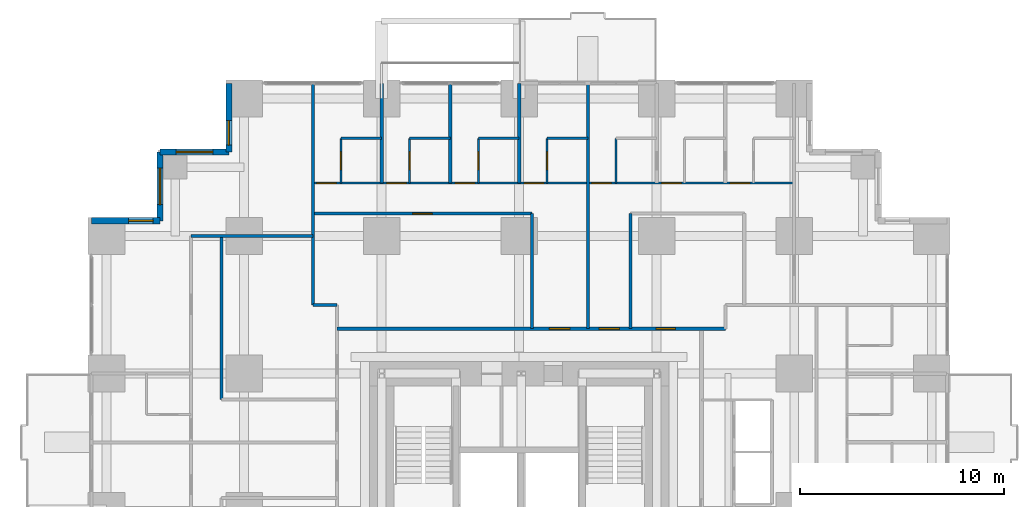
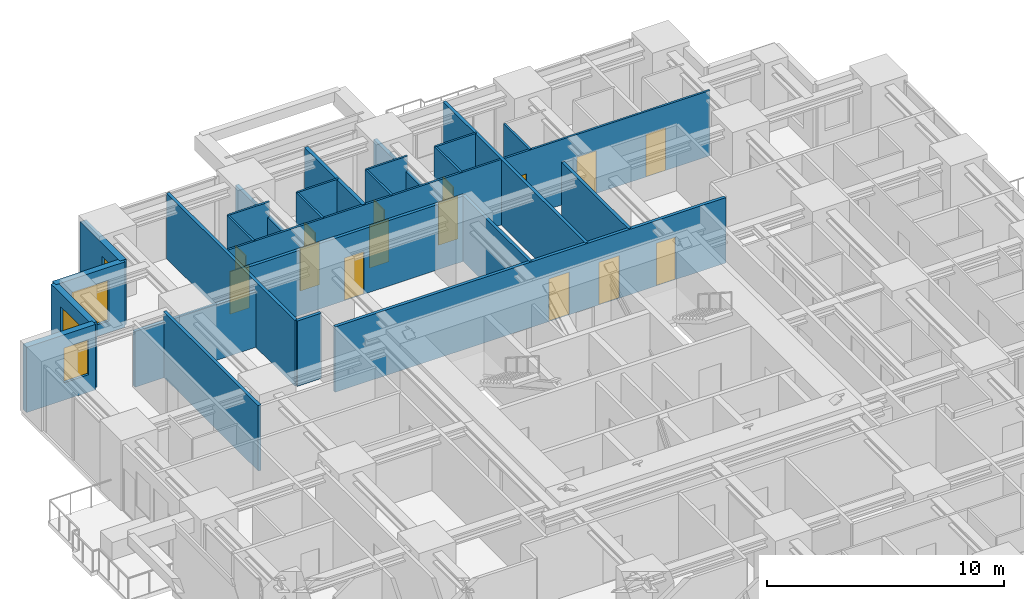
# One storey, part 12 of 14: 26 walls, 15 doors, 4 windows, 19 openings.
"""IFC4 building model written with IfcOpenShell, lengths in metres."""

from ifc_helpers import new_model, si_unit, direction, frame, frame_2d, origin, place, context, subcontext, project, spatial, rectangle, extrude, material, layer, layer_set, type_object, element, fill, save


model = new_model("IFC4")

# Units and contexts
model_context = context("Model", 3, precision=1e-05, world=origin(), true_north=direction((0.0, 1.0)))
body_context = subcontext(model_context, "Body", "Model", "MODEL_VIEW")
ifc_project = project(units=[si_unit("LENGTHUNIT", "METRE"), si_unit("AREAUNIT", "SQUARE_METRE"), si_unit("VOLUMEUNIT", "CUBIC_METRE"), si_unit("PLANEANGLEUNIT", "RADIAN"), si_unit("MASSUNIT", "GRAM", prefix="KILO")], contexts=[model_context])

# Site, building, storey
site_placement = place(None, origin())
site = spatial("IfcSite", under=ifc_project, at=site_placement, CompositionType="ELEMENT")
building_placement = place(site_placement, origin())
building = spatial("IfcBuilding", under=site, at=building_placement, Name="Nyansa Garden Tower", CompositionType="ELEMENT")
storey_placement = place(building_placement, frame((0.0, 0.0, 57.60009765625)))
storey = spatial("IfcBuildingStorey", under=building, at=storey_placement, Name="L15", CompositionType="ELEMENT", Elevation=57.60009765625)

# Walls
ifc_material_1 = material(Name="Dense blockwork, plastered both sides, 55 dB", Category="masonry")
ifc_layer_1 = layer(ifc_material_1, 0.175048828125)
ifc_layer_set_1 = layer_set([ifc_layer_1], Name="Acoustic party wall PW175")
wall_type_1 = type_object("IfcWallType", Name="Acoustic party wall PW175", PredefinedType="PARTITIONING", material=ifc_layer_set_1)
wall_1_placement = place(storey_placement, frame((13.5, 36.35009765625, 0.0), z_axis=(0.0, 0.0, 1.0), x_axis=(0.0, 1.0, 0.0)))
element("IfcWall", 1, at=wall_1_placement, inside=storey, type_object=wall_type_1, Name="Party wall", PredefinedType="PARTITIONING", context=body_context, shape_type="SweptSolid", body=[
    extrude(rectangle(XDim=4.8837890625, YDim=0.175048828125, at=frame_2d((2.44189453125, 0.0))), origin(), (0.0, 0.0, 1.0), 2.60986328125),
])
wall_2_placement = place(storey_placement, frame((16.875, 36.35009765625, 0.0), z_axis=(0.0, 0.0, 1.0), x_axis=(0.0, 1.0, 0.0)))
element("IfcWall", 2, at=wall_2_placement, inside=storey, type_object=wall_type_1, Name="Party wall", PredefinedType="PARTITIONING", context=body_context, shape_type="SweptSolid", body=[
    extrude(rectangle(XDim=4.8837890625, YDim=0.175048828125, at=frame_2d((2.44189453125, 0.0))), origin(), (0.0, 0.0, 1.0), 3.375),
])
wall_3_placement = place(storey_placement, frame((20.25, 36.35009765625, 0.0), z_axis=(0.0, 0.0, 1.0), x_axis=(0.0, 1.0, 0.0)))
element("IfcWall", 3, at=wall_3_placement, inside=storey, type_object=wall_type_1, Name="Party wall", PredefinedType="PARTITIONING", context=body_context, shape_type="SweptSolid", body=[
    extrude(rectangle(XDim=4.8837890625, YDim=0.175048828125, at=frame_2d((2.44189453125, 0.0))), origin(), (0.0, 0.0, 1.0), 2.60986328125),
])
ifc_material_2 = material(Name="Blockwork, plastered both sides", Category="masonry")
ifc_layer_2 = layer(ifc_material_2, 0.14990234375)
ifc_layer_set_2 = layer_set([ifc_layer_2], Name="Partition PW150")
wall_type_2 = type_object("IfcWallType", Name="Partition PW150", PredefinedType="PARTITIONING", material=ifc_layer_set_2)
wall_4_placement = place(storey_placement, frame((4.14990234375, 33.75, 0.0), z_axis=(0.0, 0.0, 1.0), x_axis=(1.0, 0.0, 0.0)))
element("IfcWall", 4, at=wall_4_placement, inside=storey, type_object=wall_type_2, Name="Partition", PredefinedType="PARTITIONING", context=body_context, shape_type="SweptSolid", body=[
    extrude(rectangle(XDim=5.97509765625, YDim=0.14990234375, at=frame_2d((2.987548828125, 0.0))), origin(), (0.0, 0.0, 1.0), 2.876953125),
])
wall_5_placement = place(storey_placement, frame((5.64990234375, 25.72509765625, 0.0), z_axis=(0.0, 0.0, 1.0), x_axis=(0.0, 1.0, 0.0)))
element("IfcWall", 5, at=wall_5_placement, inside=storey, type_object=wall_type_2, Name="Partition", PredefinedType="PARTITIONING", context=body_context, shape_type="SweptSolid", body=[
    extrude(rectangle(XDim=8.02490234375, YDim=0.14990234375, at=frame_2d((4.012451171875, 0.0))), origin(), (0.0, 0.0, 1.0), 3.375),
])
wall_6_placement = place(storey_placement, frame((10.125, 30.375, 0.0), z_axis=(0.0, 0.0, 1.0), x_axis=(0.0, 1.0, 0.0)))
element("IfcWall", 6, at=wall_6_placement, inside=storey, type_object=wall_type_2, Name="Partition", PredefinedType="PARTITIONING", context=body_context, shape_type="SweptSolid", body=[
    extrude(rectangle(XDim=10.85888671875, YDim=0.14990234375, at=frame_2d((5.429443359375, 0.0))), origin(), (0.0, 0.0, 1.0), 3.375),
])
wall_7_placement = place(storey_placement, frame((10.125, 30.375, 0.0), z_axis=(0.0, 0.0, 1.0), x_axis=(1.0, 0.0, 0.0)))
element("IfcWall", 7, at=wall_7_placement, inside=storey, type_object=wall_type_2, Name="Partition", PredefinedType="PARTITIONING", context=body_context, shape_type="SweptSolid", body=[
    extrude(rectangle(XDim=1.175048828125, YDim=0.14990234375, at=frame_2d((0.58740234375, 0.0))), origin(), (0.0, 0.0, 1.0), 3.375),
])

# Wall, opening, door
wall_8_placement = place(storey_placement, frame((10.125, 34.85009765625, 0.0), z_axis=(0.0, 0.0, 1.0), x_axis=(1.0, 0.0, 0.0)))
wall_8 = element("IfcWall", 8, at=wall_8_placement, inside=storey, type_object=wall_type_2, Name="Partition", PredefinedType="PARTITIONING", context=body_context, shape_type="SweptSolid", body=[
    extrude(rectangle(XDim=10.762451171875, YDim=0.14990234375, at=frame_2d((5.38134765625, 0.0))), origin(), (0.0, 0.0, 1.0), 3.375),
])
opening_1_placement = place(wall_8_placement, frame((4.89990234375, 0.0, 0.0)))
opening_1 = element("IfcOpeningElement", 9, at=opening_1_placement, cuts=wall_8, Name="Opening D01", PredefinedType="OPENING", context=body_context, shape_type="SweptSolid", body=[
    extrude(rectangle(XDim=0.949951171875, YDim=2.199951171875, at=frame_2d((0.47509765625, 1.10009765625))), frame((0.0, 0.0849609375, 0.0), z_axis=(0.0, -1.0, 0.0), x_axis=(1.0, 0.0, 0.0)), (0.0, 0.0, 1.0), 0.169921875),
])
ifc_material_3 = material(Name="Timber flush door, 30 minute fire resisting", Category="wood")
door_type_1 = type_object("IfcDoorType", Name="Bedroom door D01 950x2200", OperationType="SINGLE_SWING_LEFT", PredefinedType="DOOR", material=ifc_material_3)
door_1_placement = place(opening_1_placement, origin())
door_1 = element("IfcDoor", 10, at=door_1_placement, inside=storey, type_object=door_type_1, Name="Door L15-067", OperationType="SINGLE_SWING_LEFT", OverallHeight=2.199951171875, OverallWidth=0.949951171875, PredefinedType="DOOR", context=body_context, shape_type="SweptSolid", body=[
    extrude(rectangle(XDim=0.949951171875, YDim=2.199951171875, at=frame_2d((0.47509765625, 1.10009765625))), frame((0.0, 0.02490234375, 0.0), z_axis=(0.0, -1.0, 0.0), x_axis=(1.0, 0.0, 0.0)), (0.0, 0.0, 1.0), 0.050048828125),
])
fill(opening_1, door_1)

# Wall, openings, doors
wall_9_placement = place(storey_placement, frame((11.300048828125, 29.199951171875, 0.0), z_axis=(0.0, 0.0, 1.0), x_axis=(1.0, 0.0, 0.0)))
wall_9 = element("IfcWall", 11, at=wall_9_placement, inside=storey, type_object=wall_type_2, Name="Partition", PredefinedType="PARTITIONING", context=body_context, shape_type="SweptSolid", body=[
    extrude(rectangle(XDim=19.074951171875, YDim=0.14990234375, at=frame_2d((9.53759765625, 0.0))), origin(), (0.0, 0.0, 1.0), 3.375),
])
opening_2_placement = place(wall_9_placement, frame((12.875, 0.0, 0.0)))
opening_2 = element("IfcOpeningElement", 12, at=opening_2_placement, cuts=wall_9, Name="Opening D03", PredefinedType="OPENING", context=body_context, shape_type="SweptSolid", body=[
    extrude(rectangle(XDim=1.0, YDim=2.199951171875, at=frame_2d((0.5, 1.10009765625))), frame((0.0, 0.0849609375, 0.0), z_axis=(0.0, -1.0, 0.0), x_axis=(1.0, 0.0, 0.0)), (0.0, 0.0, 1.0), 0.169921875),
])
opening_3_placement = place(wall_9_placement, frame((10.4375, 0.0, 0.0)))
opening_3 = element("IfcOpeningElement", 13, at=opening_3_placement, cuts=wall_9, Name="Opening D03", PredefinedType="OPENING", context=body_context, shape_type="SweptSolid", body=[
    extrude(rectangle(XDim=1.0, YDim=2.199951171875, at=frame_2d((0.5, 1.10009765625))), frame((0.0, 0.0849609375, 0.0), z_axis=(0.0, -1.0, 0.0), x_axis=(1.0, 0.0, 0.0)), (0.0, 0.0, 1.0), 0.169921875),
])
opening_4_placement = place(wall_9_placement, frame((15.675048828125, 0.0, 0.0)))
opening_4 = element("IfcOpeningElement", 14, at=opening_4_placement, cuts=wall_9, Name="Opening D01", PredefinedType="OPENING", context=body_context, shape_type="SweptSolid", body=[
    extrude(rectangle(XDim=0.949951171875, YDim=2.199951171875, at=frame_2d((0.47509765625, 1.10009765625))), frame((0.0, 0.0849609375, 0.0), z_axis=(0.0, -1.0, 0.0), x_axis=(1.0, 0.0, 0.0)), (0.0, 0.0, 1.0), 0.169921875),
])
door_2_placement = place(opening_4_placement, origin())
door_2 = element("IfcDoor", 15, at=door_2_placement, inside=storey, type_object=door_type_1, Name="Door L15-066", OperationType="SINGLE_SWING_LEFT", OverallHeight=2.199951171875, OverallWidth=0.949951171875, PredefinedType="DOOR", context=body_context, shape_type="SweptSolid", body=[
    extrude(rectangle(XDim=0.949951171875, YDim=2.199951171875, at=frame_2d((0.47509765625, 1.10009765625))), frame((0.0, 0.02490234375, 0.0), z_axis=(0.0, -1.0, 0.0), x_axis=(1.0, 0.0, 0.0)), (0.0, 0.0, 1.0), 0.050048828125),
])
fill(opening_4, door_2)
ifc_material_4 = material(Name="Timber flush door, 60 minute fire resisting", Category="wood")
door_type_2 = type_object("IfcDoorType", Name="Cluster entrance door D03 1000x2200", OperationType="SINGLE_SWING_LEFT", PredefinedType="DOOR", material=ifc_material_4)
door_3_placement = place(opening_2_placement, origin())
door_3 = element("IfcDoor", 16, at=door_3_placement, inside=storey, type_object=door_type_2, Name="Door L15-056", OperationType="SINGLE_SWING_LEFT", OverallHeight=2.199951171875, OverallWidth=1.0, PredefinedType="DOOR", context=body_context, shape_type="SweptSolid", body=[
    extrude(rectangle(XDim=1.0, YDim=2.199951171875, at=frame_2d((0.5, 1.10009765625))), frame((0.0, 0.02490234375, 0.0), z_axis=(0.0, -1.0, 0.0), x_axis=(1.0, 0.0, 0.0)), (0.0, 0.0, 1.0), 0.050048828125),
])
fill(opening_2, door_3)
door_4_placement = place(opening_3_placement, origin())
door_4 = element("IfcDoor", 17, at=door_4_placement, inside=storey, type_object=door_type_2, Name="Door L15-065", OperationType="SINGLE_SWING_LEFT", OverallHeight=2.199951171875, OverallWidth=1.0, PredefinedType="DOOR", context=body_context, shape_type="SweptSolid", body=[
    extrude(rectangle(XDim=1.0, YDim=2.199951171875, at=frame_2d((0.5, 1.10009765625))), frame((0.0, 0.02490234375, 0.0), z_axis=(0.0, -1.0, 0.0), x_axis=(1.0, 0.0, 0.0)), (0.0, 0.0, 1.0), 0.050048828125),
])
fill(opening_3, door_4)

# Walls
wall_10_placement = place(storey_placement, frame((20.886962890625, 29.199951171875, 0.0), z_axis=(0.0, 0.0, 1.0), x_axis=(0.0, 1.0, 0.0)))
element("IfcWall", 18, at=wall_10_placement, inside=storey, type_object=wall_type_2, Name="Partition", PredefinedType="PARTITIONING", context=body_context, shape_type="SweptSolid", body=[
    extrude(rectangle(XDim=5.650146484375, YDim=0.14990234375, at=frame_2d((2.8251953125, 0.0))), origin(), (0.0, 0.0, 1.0), 3.375),
])
wall_11_placement = place(storey_placement, frame((23.625, 29.199951171875, 0.0), z_axis=(0.0, 0.0, 1.0), x_axis=(0.0, 1.0, 0.0)))
element("IfcWall", 19, at=wall_11_placement, inside=storey, type_object=wall_type_2, Name="Partition", PredefinedType="PARTITIONING", context=body_context, shape_type="SweptSolid", body=[
    extrude(rectangle(XDim=12.033935546875, YDim=0.14990234375, at=frame_2d((6.01708984375, 0.0))), origin(), (0.0, 0.0, 1.0), 3.375),
])
wall_12_placement = place(storey_placement, frame((25.72509765625, 29.199951171875, 0.0), z_axis=(0.0, 0.0, 1.0), x_axis=(0.0, 1.0, 0.0)))
element("IfcWall", 20, at=wall_12_placement, inside=storey, type_object=wall_type_2, Name="Partition", PredefinedType="PARTITIONING", context=body_context, shape_type="SweptSolid", body=[
    extrude(rectangle(XDim=5.650146484375, YDim=0.14990234375, at=frame_2d((2.8251953125, 0.0))), origin(), (0.0, 0.0, 1.0), 3.375),
])

# Wall, opening, window
ifc_material_5 = material(Name="Turquoise glazed tile on concrete blockwork", Category="masonry")
ifc_layer_3 = layer(ifc_material_5, 0.300048828125)
ifc_layer_set_3 = layer_set([ifc_layer_3], Name="Tiled corner wall TW300")
wall_type_3 = type_object("IfcWallType", Name="Tiled corner wall TW300", PredefinedType="SOLIDWALL", material=ifc_layer_set_3)
wall_13_placement = place(storey_placement, frame((6.0, 41.25, 0.0), z_axis=(0.0, 0.0, 1.0), x_axis=(0.0, -1.0, 0.0)))
wall_13 = element("IfcWall", 21, at=wall_13_placement, inside=storey, type_object=wall_type_3, Name="Tiled corner wall L15", PredefinedType="SOLIDWALL", context=body_context, shape_type="SweptSolid", body=[
    extrude(rectangle(XDim=3.375, YDim=0.300048828125, at=frame_2d((1.6875, 0.0))), origin(), (0.0, 0.0, 1.0), 3.375),
])
opening_5_placement = place(wall_13_placement, frame((1.83251953125, 0.0, 0.89990234375)))
opening_5 = element("IfcOpeningElement", 22, at=opening_5_placement, cuts=wall_13, Name="Opening W4", PredefinedType="OPENING", context=body_context, shape_type="SweptSolid", body=[
    extrude(rectangle(XDim=1.199951171875, YDim=1.800048828125, at=frame_2d((0.60009765625, 0.89990234375))), frame((0.0, 0.159912109375, 0.0), z_axis=(0.0, -1.0, 0.0), x_axis=(1.0, 0.0, 0.0)), (0.0, 0.0, 1.0), 0.320068359375),
])
ifc_material_6 = material(Name="Black aluminium frame, dark tinted double glazing", Category="aluminium")
window_type_1 = type_object("IfcWindowType", Name="Window W4 1200x1800", PartitioningType="SINGLE_PANEL", PredefinedType="WINDOW", material=ifc_material_6)
window_1_placement = place(opening_5_placement, origin())
window_1 = element("IfcWindow", 23, at=window_1_placement, inside=storey, type_object=window_type_1, Name="Corner window L15", OverallHeight=1.800048828125, OverallWidth=1.199951171875, PartitioningType="SINGLE_PANEL", PredefinedType="WINDOW", context=body_context, shape_type="SweptSolid", body=[
    extrude(rectangle(XDim=1.199951171875, YDim=1.800048828125, at=frame_2d((0.60009765625, 0.89990234375))), frame((0.0, 0.030029296875, 0.0), z_axis=(0.0, -1.0, 0.0), x_axis=(1.0, 0.0, 0.0)), (0.0, 0.0, 1.0), 0.06005859375),
])
fill(opening_5, window_1)

wall_14_placement = place(storey_placement, frame((6.0, 37.875, 0.0), z_axis=(0.0, 0.0, 1.0), x_axis=(-1.0, 0.0, 0.0)))
wall_14 = element("IfcWall", 24, at=wall_14_placement, inside=storey, type_object=wall_type_3, Name="Tiled corner wall L15", PredefinedType="SOLIDWALL", context=body_context, shape_type="SweptSolid", body=[
    extrude(rectangle(XDim=3.375, YDim=0.300048828125, at=frame_2d((1.6875, 0.0))), origin(), (0.0, 0.0, 1.0), 3.375),
])
opening_6_placement = place(wall_14_placement, frame((0.78759765625, 0.0, 0.60009765625)))
opening_6 = element("IfcOpeningElement", 25, at=opening_6_placement, cuts=wall_14, Name="Opening W2", PredefinedType="OPENING", context=body_context, shape_type="SweptSolid", body=[
    extrude(rectangle(XDim=1.800048828125, YDim=2.10009765625, at=frame_2d((0.89990234375, 1.050048828125))), frame((0.0, 0.159912109375, 0.0), z_axis=(0.0, -1.0, 0.0), x_axis=(1.0, 0.0, 0.0)), (0.0, 0.0, 1.0), 0.320068359375),
])
ifc_material_7 = material(Name="Black aluminium frame, dark tinted double glazing", Category="aluminium")
window_type_2 = type_object("IfcWindowType", Name="Window W2 1800x2100", PartitioningType="SINGLE_PANEL", PredefinedType="WINDOW", material=ifc_material_7)
window_2_placement = place(opening_6_placement, origin())
window_2 = element("IfcWindow", 26, at=window_2_placement, inside=storey, type_object=window_type_2, Name="Corner window L15", OverallHeight=2.10009765625, OverallWidth=1.800048828125, PartitioningType="SINGLE_PANEL", PredefinedType="WINDOW", context=body_context, shape_type="SweptSolid", body=[
    extrude(rectangle(XDim=1.800048828125, YDim=2.10009765625, at=frame_2d((0.89990234375, 1.050048828125))), frame((0.0, 0.030029296875, 0.0), z_axis=(0.0, -1.0, 0.0), x_axis=(1.0, 0.0, 0.0)), (0.0, 0.0, 1.0), 0.06005859375),
])
fill(opening_6, window_2)

wall_15_placement = place(storey_placement, frame((2.625, 37.875, 0.0), z_axis=(0.0, 0.0, 1.0), x_axis=(0.0, -1.0, 0.0)))
wall_15 = element("IfcWall", 27, at=wall_15_placement, inside=storey, type_object=wall_type_3, Name="Tiled corner wall L15", PredefinedType="SOLIDWALL", context=body_context, shape_type="SweptSolid", body=[
    extrude(rectangle(XDim=3.375, YDim=0.300048828125, at=frame_2d((1.6875, 0.0))), origin(), (0.0, 0.0, 1.0), 3.375),
])
opening_7_placement = place(wall_15_placement, frame((0.78759765625, 0.0, 0.60009765625)))
opening_7 = element("IfcOpeningElement", 28, at=opening_7_placement, cuts=wall_15, Name="Opening W2", PredefinedType="OPENING", context=body_context, shape_type="SweptSolid", body=[
    extrude(rectangle(XDim=1.800048828125, YDim=2.10009765625, at=frame_2d((0.89990234375, 1.050048828125))), frame((0.0, 0.159912109375, 0.0), z_axis=(0.0, -1.0, 0.0), x_axis=(1.0, 0.0, 0.0)), (0.0, 0.0, 1.0), 0.320068359375),
])
window_3_placement = place(opening_7_placement, origin())
window_3 = element("IfcWindow", 29, at=window_3_placement, inside=storey, type_object=window_type_2, Name="Corner window L15", OverallHeight=2.10009765625, OverallWidth=1.800048828125, PartitioningType="SINGLE_PANEL", PredefinedType="WINDOW", context=body_context, shape_type="SweptSolid", body=[
    extrude(rectangle(XDim=1.800048828125, YDim=2.10009765625, at=frame_2d((0.89990234375, 1.050048828125))), frame((0.0, 0.030029296875, 0.0), z_axis=(0.0, -1.0, 0.0), x_axis=(1.0, 0.0, 0.0)), (0.0, 0.0, 1.0), 0.06005859375),
])
fill(opening_7, window_3)

wall_16_placement = place(storey_placement, frame((2.625, 34.5, 0.0), z_axis=(0.0, 0.0, 1.0), x_axis=(-1.0, 0.0, 0.0)))
wall_16 = element("IfcWall", 30, at=wall_16_placement, inside=storey, type_object=wall_type_3, Name="Tiled corner wall L15", PredefinedType="SOLIDWALL", context=body_context, shape_type="SweptSolid", body=[
    extrude(rectangle(XDim=3.375, YDim=0.300048828125, at=frame_2d((1.6875, 0.0))), origin(), (0.0, 0.0, 1.0), 3.375),
])
opening_8_placement = place(wall_16_placement, frame((0.342529296875, 0.0, 0.89990234375)))
opening_8 = element("IfcOpeningElement", 31, at=opening_8_placement, cuts=wall_16, Name="Opening W4", PredefinedType="OPENING", context=body_context, shape_type="SweptSolid", body=[
    extrude(rectangle(XDim=1.199951171875, YDim=1.800048828125, at=frame_2d((0.60009765625, 0.89990234375))), frame((0.0, 0.159912109375, 0.0), z_axis=(0.0, -1.0, 0.0), x_axis=(1.0, 0.0, 0.0)), (0.0, 0.0, 1.0), 0.320068359375),
])
window_4_placement = place(opening_8_placement, origin())
window_4 = element("IfcWindow", 32, at=window_4_placement, inside=storey, type_object=window_type_1, Name="Corner window L15", OverallHeight=1.800048828125, OverallWidth=1.199951171875, PartitioningType="SINGLE_PANEL", PredefinedType="WINDOW", context=body_context, shape_type="SweptSolid", body=[
    extrude(rectangle(XDim=1.199951171875, YDim=1.800048828125, at=frame_2d((0.60009765625, 0.89990234375))), frame((0.0, 0.030029296875, 0.0), z_axis=(0.0, -1.0, 0.0), x_axis=(1.0, 0.0, 0.0)), (0.0, 0.0, 1.0), 0.06005859375),
])
fill(opening_8, window_4)

# Wall, openings, doors
ifc_material_8 = material(Name="Moisture resistant board on steel studs, tiled", Category="steel")
ifc_layer_4 = layer(ifc_material_8, 0.10009765625)
ifc_layer_set_4 = layer_set([ifc_layer_4], Name="Wet wall PW100")
wall_type_4 = type_object("IfcWallType", Name="Wet wall PW100", PredefinedType="PARTITIONING", material=ifc_layer_set_4)
wall_17_placement = place(storey_placement, frame((10.125, 36.35009765625, 0.0), z_axis=(0.0, 0.0, 1.0), x_axis=(1.0, 0.0, 0.0)))
wall_17 = element("IfcWall", 33, at=wall_17_placement, inside=storey, type_object=wall_type_4, Name="Wet wall", PredefinedType="PARTITIONING", context=body_context, shape_type="SweptSolid", body=[
    extrude(rectangle(XDim=23.625, YDim=0.10009765625, at=frame_2d((11.8125, 0.0))), origin(), (0.0, 0.0, 1.0), 3.375),
])
opening_9_placement = place(wall_17_placement, frame((20.5, 0.0, 0.0)))
opening_9 = element("IfcOpeningElement", 34, at=opening_9_placement, cuts=wall_17, Name="Opening D01", PredefinedType="OPENING", context=body_context, shape_type="SweptSolid", body=[
    extrude(rectangle(XDim=0.949951171875, YDim=2.199951171875, at=frame_2d((0.47509765625, 1.10009765625))), frame((0.0, 0.06005859375, 0.0), z_axis=(0.0, -1.0, 0.0), x_axis=(1.0, 0.0, 0.0)), (0.0, 0.0, 1.0), 0.1201171875),
])
opening_10_placement = place(wall_17_placement, frame((17.125, 0.0, 0.0)))
opening_10 = element("IfcOpeningElement", 35, at=opening_10_placement, cuts=wall_17, Name="Opening D01", PredefinedType="OPENING", context=body_context, shape_type="SweptSolid", body=[
    extrude(rectangle(XDim=0.949951171875, YDim=2.199951171875, at=frame_2d((0.47509765625, 1.10009765625))), frame((0.0, 0.06005859375, 0.0), z_axis=(0.0, -1.0, 0.0), x_axis=(1.0, 0.0, 0.0)), (0.0, 0.0, 1.0), 0.1201171875),
])
opening_11_placement = place(wall_17_placement, frame((13.699951171875, 0.0, 0.0)))
opening_11 = element("IfcOpeningElement", 36, at=opening_11_placement, cuts=wall_17, Name="Opening D01", PredefinedType="OPENING", context=body_context, shape_type="SweptSolid", body=[
    extrude(rectangle(XDim=0.949951171875, YDim=2.199951171875, at=frame_2d((0.47509765625, 1.10009765625))), frame((0.0, 0.06005859375, 0.0), z_axis=(0.0, -1.0, 0.0), x_axis=(1.0, 0.0, 0.0)), (0.0, 0.0, 1.0), 0.1201171875),
])
opening_12_placement = place(wall_17_placement, frame((0.199951171875, 0.0, 0.0)))
opening_12 = element("IfcOpeningElement", 37, at=opening_12_placement, cuts=wall_17, Name="Opening D14", PredefinedType="OPENING", context=body_context, shape_type="SweptSolid", body=[
    extrude(rectangle(XDim=0.949951171875, YDim=2.199951171875, at=frame_2d((0.47509765625, 1.10009765625))), frame((0.0, 0.06005859375, 0.0), z_axis=(0.0, -1.0, 0.0), x_axis=(1.0, 0.0, 0.0)), (0.0, 0.0, 1.0), 0.1201171875),
])
opening_13_placement = place(wall_17_placement, frame((3.625, 0.0, 0.0)))
opening_13 = element("IfcOpeningElement", 38, at=opening_13_placement, cuts=wall_17, Name="Opening D14", PredefinedType="OPENING", context=body_context, shape_type="SweptSolid", body=[
    extrude(rectangle(XDim=0.949951171875, YDim=2.199951171875, at=frame_2d((0.47509765625, 1.10009765625))), frame((0.0, 0.06005859375, 0.0), z_axis=(0.0, -1.0, 0.0), x_axis=(1.0, 0.0, 0.0)), (0.0, 0.0, 1.0), 0.1201171875),
])
opening_14_placement = place(wall_17_placement, frame((7.0, 0.0, 0.0)))
opening_14 = element("IfcOpeningElement", 39, at=opening_14_placement, cuts=wall_17, Name="Opening D14", PredefinedType="OPENING", context=body_context, shape_type="SweptSolid", body=[
    extrude(rectangle(XDim=0.949951171875, YDim=2.199951171875, at=frame_2d((0.47509765625, 1.10009765625))), frame((0.0, 0.06005859375, 0.0), z_axis=(0.0, -1.0, 0.0), x_axis=(1.0, 0.0, 0.0)), (0.0, 0.0, 1.0), 0.1201171875),
])
opening_15_placement = place(wall_17_placement, frame((10.375, 0.0, 0.0)))
opening_15 = element("IfcOpeningElement", 40, at=opening_15_placement, cuts=wall_17, Name="Opening D14", PredefinedType="OPENING", context=body_context, shape_type="SweptSolid", body=[
    extrude(rectangle(XDim=0.949951171875, YDim=2.199951171875, at=frame_2d((0.47509765625, 1.10009765625))), frame((0.0, 0.06005859375, 0.0), z_axis=(0.0, -1.0, 0.0), x_axis=(1.0, 0.0, 0.0)), (0.0, 0.0, 1.0), 0.1201171875),
])
door_5_placement = place(opening_9_placement, origin())
door_5 = element("IfcDoor", 41, at=door_5_placement, inside=storey, type_object=door_type_1, Name="Door L15-050", OperationType="SINGLE_SWING_LEFT", OverallHeight=2.199951171875, OverallWidth=0.949951171875, PredefinedType="DOOR", context=body_context, shape_type="SweptSolid", body=[
    extrude(rectangle(XDim=0.949951171875, YDim=2.199951171875, at=frame_2d((0.47509765625, 1.10009765625))), frame((0.0, 0.02490234375, 0.0), z_axis=(0.0, -1.0, 0.0), x_axis=(1.0, 0.0, 0.0)), (0.0, 0.0, 1.0), 0.050048828125),
])
fill(opening_9, door_5)
door_6_placement = place(opening_10_placement, origin())
door_6 = element("IfcDoor", 42, at=door_6_placement, inside=storey, type_object=door_type_1, Name="Door L15-052", OperationType="SINGLE_SWING_LEFT", OverallHeight=2.199951171875, OverallWidth=0.949951171875, PredefinedType="DOOR", context=body_context, shape_type="SweptSolid", body=[
    extrude(rectangle(XDim=0.949951171875, YDim=2.199951171875, at=frame_2d((0.47509765625, 1.10009765625))), frame((0.0, 0.02490234375, 0.0), z_axis=(0.0, -1.0, 0.0), x_axis=(1.0, 0.0, 0.0)), (0.0, 0.0, 1.0), 0.050048828125),
])
fill(opening_10, door_6)
door_7_placement = place(opening_11_placement, origin())
door_7 = element("IfcDoor", 43, at=door_7_placement, inside=storey, type_object=door_type_1, Name="Door L15-054", OperationType="SINGLE_SWING_LEFT", OverallHeight=2.199951171875, OverallWidth=0.949951171875, PredefinedType="DOOR", context=body_context, shape_type="SweptSolid", body=[
    extrude(rectangle(XDim=0.949951171875, YDim=2.199951171875, at=frame_2d((0.47509765625, 1.10009765625))), frame((0.0, 0.02490234375, 0.0), z_axis=(0.0, -1.0, 0.0), x_axis=(1.0, 0.0, 0.0)), (0.0, 0.0, 1.0), 0.050048828125),
])
fill(opening_11, door_7)
ifc_material_9 = material(Name="Timber flush door, 60 minute fire resisting, self-closing", Category="wood")
door_type_3 = type_object("IfcDoorType", Name="Studio entrance door D14 950x2200", OperationType="SINGLE_SWING_LEFT", PredefinedType="DOOR", material=ifc_material_9)
door_8_placement = place(opening_12_placement, origin())
door_8 = element("IfcDoor", 44, at=door_8_placement, inside=storey, type_object=door_type_3, Name="Door L15-057", OperationType="SINGLE_SWING_LEFT", OverallHeight=2.199951171875, OverallWidth=0.949951171875, PredefinedType="DOOR", context=body_context, shape_type="SweptSolid", body=[
    extrude(rectangle(XDim=0.949951171875, YDim=2.199951171875, at=frame_2d((0.47509765625, 1.10009765625))), frame((0.0, 0.02490234375, 0.0), z_axis=(0.0, -1.0, 0.0), x_axis=(1.0, 0.0, 0.0)), (0.0, 0.0, 1.0), 0.050048828125),
])
fill(opening_12, door_8)
door_9_placement = place(opening_13_placement, origin())
door_9 = element("IfcDoor", 45, at=door_9_placement, inside=storey, type_object=door_type_3, Name="Door L15-059", OperationType="SINGLE_SWING_LEFT", OverallHeight=2.199951171875, OverallWidth=0.949951171875, PredefinedType="DOOR", context=body_context, shape_type="SweptSolid", body=[
    extrude(rectangle(XDim=0.949951171875, YDim=2.199951171875, at=frame_2d((0.47509765625, 1.10009765625))), frame((0.0, 0.02490234375, 0.0), z_axis=(0.0, -1.0, 0.0), x_axis=(1.0, 0.0, 0.0)), (0.0, 0.0, 1.0), 0.050048828125),
])
fill(opening_13, door_9)
door_10_placement = place(opening_14_placement, origin())
door_10 = element("IfcDoor", 46, at=door_10_placement, inside=storey, type_object=door_type_3, Name="Door L15-061", OperationType="SINGLE_SWING_LEFT", OverallHeight=2.199951171875, OverallWidth=0.949951171875, PredefinedType="DOOR", context=body_context, shape_type="SweptSolid", body=[
    extrude(rectangle(XDim=0.949951171875, YDim=2.199951171875, at=frame_2d((0.47509765625, 1.10009765625))), frame((0.0, 0.02490234375, 0.0), z_axis=(0.0, -1.0, 0.0), x_axis=(1.0, 0.0, 0.0)), (0.0, 0.0, 1.0), 0.050048828125),
])
fill(opening_14, door_10)
door_11_placement = place(opening_15_placement, origin())
door_11 = element("IfcDoor", 47, at=door_11_placement, inside=storey, type_object=door_type_3, Name="Door L15-063", OperationType="SINGLE_SWING_LEFT", OverallHeight=2.199951171875, OverallWidth=0.949951171875, PredefinedType="DOOR", context=body_context, shape_type="SweptSolid", body=[
    extrude(rectangle(XDim=0.949951171875, YDim=2.199951171875, at=frame_2d((0.47509765625, 1.10009765625))), frame((0.0, 0.02490234375, 0.0), z_axis=(0.0, -1.0, 0.0), x_axis=(1.0, 0.0, 0.0)), (0.0, 0.0, 1.0), 0.050048828125),
])
fill(opening_15, door_11)

# Wall, opening, door
wall_18_placement = place(storey_placement, frame((11.5, 36.35009765625, 0.0), z_axis=(0.0, 0.0, 1.0), x_axis=(0.0, 1.0, 0.0)))
wall_18 = element("IfcWall", 48, at=wall_18_placement, inside=storey, type_object=wall_type_4, Name="Wet wall", PredefinedType="PARTITIONING", context=body_context, shape_type="SweptSolid", body=[
    extrude(rectangle(XDim=2.199951171875, YDim=0.10009765625, at=frame_2d((1.10009765625, 0.0))), origin(), (0.0, 0.0, 1.0), 3.375),
])
opening_16_placement = place(wall_18_placement, frame((0.64990234375, 0.0, 0.0)))
opening_16 = element("IfcOpeningElement", 49, at=opening_16_placement, cuts=wall_18, Name="Opening D02", PredefinedType="OPENING", context=body_context, shape_type="SweptSolid", body=[
    extrude(rectangle(XDim=0.89990234375, YDim=2.199951171875, at=frame_2d((0.449951171875, 1.10009765625))), frame((0.0, 0.06005859375, 0.0), z_axis=(0.0, -1.0, 0.0), x_axis=(1.0, 0.0, 0.0)), (0.0, 0.0, 1.0), 0.1201171875),
])
ifc_material_10 = material(Name="Timber flush door", Category="wood")
door_type_4 = type_object("IfcDoorType", Name="En-suite door D02 900x2200", OperationType="SINGLE_SWING_RIGHT", PredefinedType="DOOR", material=ifc_material_10)
door_12_placement = place(opening_16_placement, origin())
door_12 = element("IfcDoor", 50, at=door_12_placement, inside=storey, type_object=door_type_4, Name="Door L15-058", OperationType="SINGLE_SWING_RIGHT", OverallHeight=2.199951171875, OverallWidth=0.89990234375, PredefinedType="DOOR", context=body_context, shape_type="SweptSolid", body=[
    extrude(rectangle(XDim=0.89990234375, YDim=2.199951171875, at=frame_2d((0.449951171875, 1.10009765625))), frame((0.0, 0.02490234375, 0.0), z_axis=(0.0, -1.0, 0.0), x_axis=(1.0, 0.0, 0.0)), (0.0, 0.0, 1.0), 0.050048828125),
])
fill(opening_16, door_12)

# Wall
wall_19_placement = place(storey_placement, frame((11.5, 38.550048828125, 0.0), z_axis=(0.0, 0.0, 1.0), x_axis=(1.0, 0.0, 0.0)))
element("IfcWall", 51, at=wall_19_placement, inside=storey, type_object=wall_type_4, Name="Wet wall", PredefinedType="PARTITIONING", context=body_context, shape_type="SweptSolid", body=[
    extrude(rectangle(XDim=2.0, YDim=0.10009765625, at=frame_2d((1.0, 0.0))), origin(), (0.0, 0.0, 1.0), 3.375),
])

# Wall, opening, door
wall_20_placement = place(storey_placement, frame((14.875, 36.35009765625, 0.0), z_axis=(0.0, 0.0, 1.0), x_axis=(0.0, 1.0, 0.0)))
wall_20 = element("IfcWall", 52, at=wall_20_placement, inside=storey, type_object=wall_type_4, Name="Wet wall", PredefinedType="PARTITIONING", context=body_context, shape_type="SweptSolid", body=[
    extrude(rectangle(XDim=2.199951171875, YDim=0.10009765625, at=frame_2d((1.10009765625, 0.0))), origin(), (0.0, 0.0, 1.0), 3.375),
])
opening_17_placement = place(wall_20_placement, frame((0.64990234375, 0.0, 0.0)))
opening_17 = element("IfcOpeningElement", 53, at=opening_17_placement, cuts=wall_20, Name="Opening D02", PredefinedType="OPENING", context=body_context, shape_type="SweptSolid", body=[
    extrude(rectangle(XDim=0.89990234375, YDim=2.199951171875, at=frame_2d((0.449951171875, 1.10009765625))), frame((0.0, 0.06005859375, 0.0), z_axis=(0.0, -1.0, 0.0), x_axis=(1.0, 0.0, 0.0)), (0.0, 0.0, 1.0), 0.1201171875),
])
door_13_placement = place(opening_17_placement, origin())
door_13 = element("IfcDoor", 54, at=door_13_placement, inside=storey, type_object=door_type_4, Name="Door L15-060", OperationType="SINGLE_SWING_RIGHT", OverallHeight=2.199951171875, OverallWidth=0.89990234375, PredefinedType="DOOR", context=body_context, shape_type="SweptSolid", body=[
    extrude(rectangle(XDim=0.89990234375, YDim=2.199951171875, at=frame_2d((0.449951171875, 1.10009765625))), frame((0.0, 0.02490234375, 0.0), z_axis=(0.0, -1.0, 0.0), x_axis=(1.0, 0.0, 0.0)), (0.0, 0.0, 1.0), 0.050048828125),
])
fill(opening_17, door_13)

# Wall
wall_21_placement = place(storey_placement, frame((14.875, 38.550048828125, 0.0), z_axis=(0.0, 0.0, 1.0), x_axis=(1.0, 0.0, 0.0)))
element("IfcWall", 55, at=wall_21_placement, inside=storey, type_object=wall_type_4, Name="Wet wall", PredefinedType="PARTITIONING", context=body_context, shape_type="SweptSolid", body=[
    extrude(rectangle(XDim=2.0, YDim=0.10009765625, at=frame_2d((1.0, 0.0))), origin(), (0.0, 0.0, 1.0), 3.375),
])

# Wall, opening, door
wall_22_placement = place(storey_placement, frame((18.25, 36.35009765625, 0.0), z_axis=(0.0, 0.0, 1.0), x_axis=(0.0, 1.0, 0.0)))
wall_22 = element("IfcWall", 56, at=wall_22_placement, inside=storey, type_object=wall_type_4, Name="Wet wall", PredefinedType="PARTITIONING", context=body_context, shape_type="SweptSolid", body=[
    extrude(rectangle(XDim=2.199951171875, YDim=0.10009765625, at=frame_2d((1.10009765625, 0.0))), origin(), (0.0, 0.0, 1.0), 3.375),
])
opening_18_placement = place(wall_22_placement, frame((0.64990234375, 0.0, 0.0)))
opening_18 = element("IfcOpeningElement", 57, at=opening_18_placement, cuts=wall_22, Name="Opening D02", PredefinedType="OPENING", context=body_context, shape_type="SweptSolid", body=[
    extrude(rectangle(XDim=0.89990234375, YDim=2.199951171875, at=frame_2d((0.449951171875, 1.10009765625))), frame((0.0, 0.06005859375, 0.0), z_axis=(0.0, -1.0, 0.0), x_axis=(1.0, 0.0, 0.0)), (0.0, 0.0, 1.0), 0.1201171875),
])
door_14_placement = place(opening_18_placement, origin())
door_14 = element("IfcDoor", 58, at=door_14_placement, inside=storey, type_object=door_type_4, Name="Door L15-062", OperationType="SINGLE_SWING_RIGHT", OverallHeight=2.199951171875, OverallWidth=0.89990234375, PredefinedType="DOOR", context=body_context, shape_type="SweptSolid", body=[
    extrude(rectangle(XDim=0.89990234375, YDim=2.199951171875, at=frame_2d((0.449951171875, 1.10009765625))), frame((0.0, 0.02490234375, 0.0), z_axis=(0.0, -1.0, 0.0), x_axis=(1.0, 0.0, 0.0)), (0.0, 0.0, 1.0), 0.050048828125),
])
fill(opening_18, door_14)

# Wall
wall_23_placement = place(storey_placement, frame((18.25, 38.550048828125, 0.0), z_axis=(0.0, 0.0, 1.0), x_axis=(1.0, 0.0, 0.0)))
element("IfcWall", 59, at=wall_23_placement, inside=storey, type_object=wall_type_4, Name="Wet wall", PredefinedType="PARTITIONING", context=body_context, shape_type="SweptSolid", body=[
    extrude(rectangle(XDim=2.0, YDim=0.10009765625, at=frame_2d((1.0, 0.0))), origin(), (0.0, 0.0, 1.0), 3.375),
])

# Wall, opening, door
wall_24_placement = place(storey_placement, frame((21.625, 36.35009765625, 0.0), z_axis=(0.0, 0.0, 1.0), x_axis=(0.0, 1.0, 0.0)))
wall_24 = element("IfcWall", 60, at=wall_24_placement, inside=storey, type_object=wall_type_4, Name="Wet wall", PredefinedType="PARTITIONING", context=body_context, shape_type="SweptSolid", body=[
    extrude(rectangle(XDim=2.199951171875, YDim=0.10009765625, at=frame_2d((1.10009765625, 0.0))), origin(), (0.0, 0.0, 1.0), 3.375),
])
opening_19_placement = place(wall_24_placement, frame((0.64990234375, 0.0, 0.0)))
opening_19 = element("IfcOpeningElement", 61, at=opening_19_placement, cuts=wall_24, Name="Opening D02", PredefinedType="OPENING", context=body_context, shape_type="SweptSolid", body=[
    extrude(rectangle(XDim=0.89990234375, YDim=2.199951171875, at=frame_2d((0.449951171875, 1.10009765625))), frame((0.0, 0.06005859375, 0.0), z_axis=(0.0, -1.0, 0.0), x_axis=(1.0, 0.0, 0.0)), (0.0, 0.0, 1.0), 0.1201171875),
])
door_15_placement = place(opening_19_placement, origin())
door_15 = element("IfcDoor", 62, at=door_15_placement, inside=storey, type_object=door_type_4, Name="Door L15-064", OperationType="SINGLE_SWING_RIGHT", OverallHeight=2.199951171875, OverallWidth=0.89990234375, PredefinedType="DOOR", context=body_context, shape_type="SweptSolid", body=[
    extrude(rectangle(XDim=0.89990234375, YDim=2.199951171875, at=frame_2d((0.449951171875, 1.10009765625))), frame((0.0, 0.02490234375, 0.0), z_axis=(0.0, -1.0, 0.0), x_axis=(1.0, 0.0, 0.0)), (0.0, 0.0, 1.0), 0.050048828125),
])
fill(opening_19, door_15)

# Walls
wall_25_placement = place(storey_placement, frame((21.625, 38.550048828125, 0.0), z_axis=(0.0, 0.0, 1.0), x_axis=(1.0, 0.0, 0.0)))
element("IfcWall", 63, at=wall_25_placement, inside=storey, type_object=wall_type_4, Name="Wet wall", PredefinedType="PARTITIONING", context=body_context, shape_type="SweptSolid", body=[
    extrude(rectangle(XDim=2.0, YDim=0.10009765625, at=frame_2d((1.0, 0.0))), origin(), (0.0, 0.0, 1.0), 3.375),
])
wall_26_placement = place(storey_placement, frame((25.0, 36.35009765625, 0.0), z_axis=(0.0, 0.0, 1.0), x_axis=(0.0, 1.0, 0.0)))
element("IfcWall", 64, at=wall_26_placement, inside=storey, type_object=wall_type_4, Name="Wet wall", PredefinedType="PARTITIONING", context=body_context, shape_type="SweptSolid", body=[
    extrude(rectangle(XDim=2.199951171875, YDim=0.10009765625, at=frame_2d((1.10009765625, 0.0))), origin(), (0.0, 0.0, 1.0), 3.375),
])

save(model, "model.ifc")
